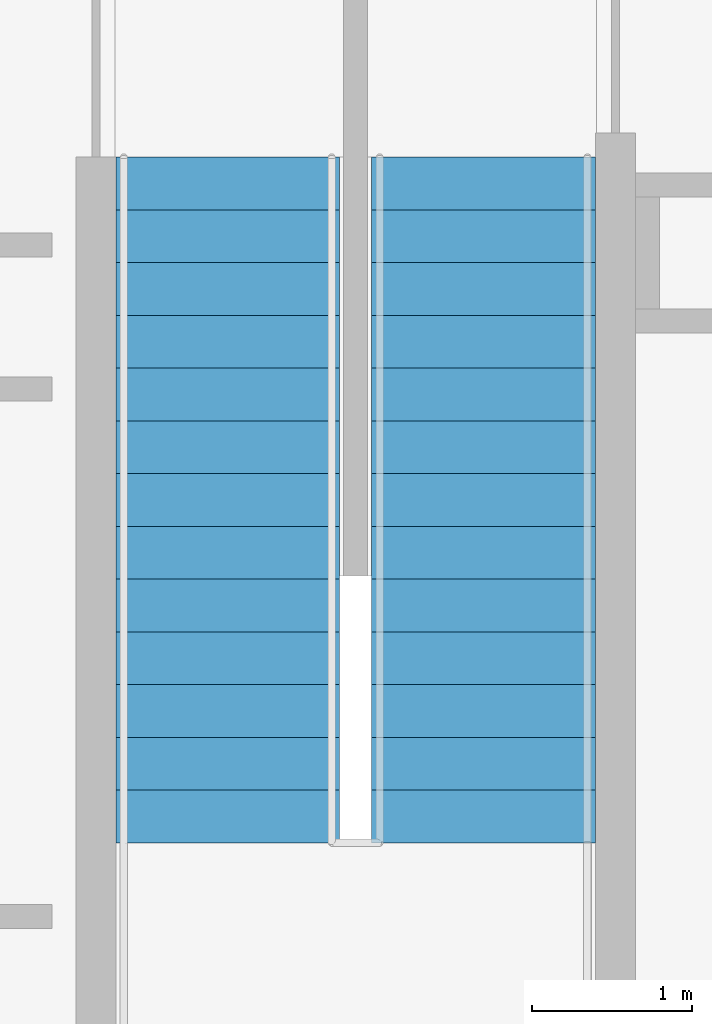
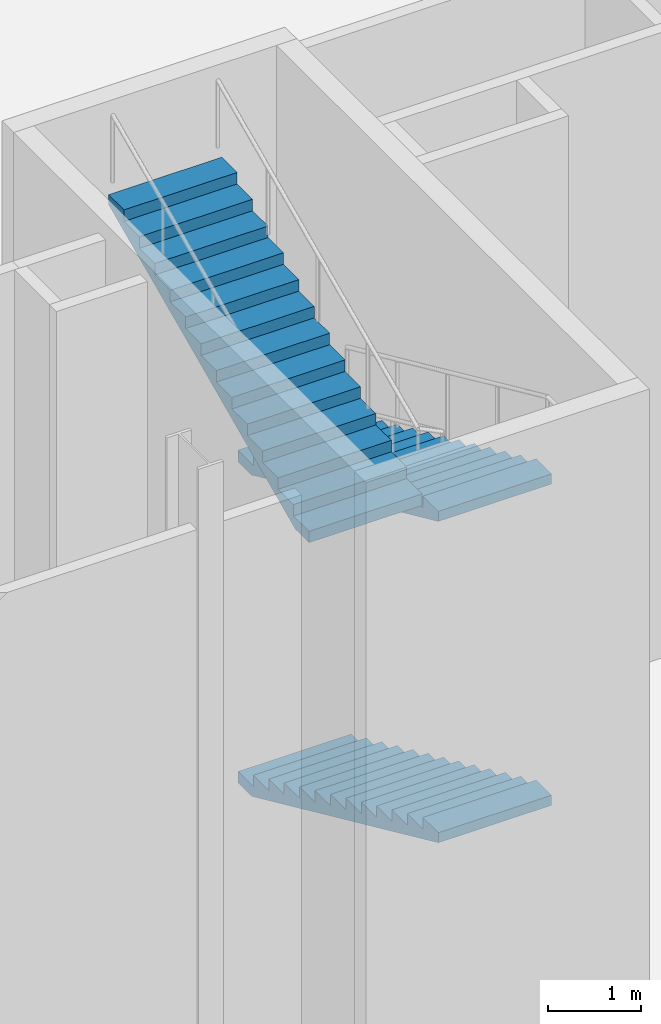
# One storey, part 30 of 34: 3 stair flights, 1 element without a shape of its own.
"""IFC4 building model written with IfcOpenShell, lengths in metres."""

from ifc_helpers import new_model, si_unit, direction, frame, origin, place, context, subcontext, project, spatial, polygons, material, type_object, element, aggregate, save


model = new_model("IFC4")

# Units and contexts
model_context = context("Model", 3, precision=1e-05, world=origin(), true_north=direction((0.0, 1.0)))
body_context = subcontext(model_context, "Body", "Model", "MODEL_VIEW")
ifc_project = project(units=[si_unit("LENGTHUNIT", "METRE"), si_unit("AREAUNIT", "SQUARE_METRE"), si_unit("VOLUMEUNIT", "CUBIC_METRE"), si_unit("PLANEANGLEUNIT", "RADIAN"), si_unit("MASSUNIT", "GRAM", prefix="KILO")], contexts=[model_context])

# Site, building, storey
site_placement = place(None, origin())
site = spatial("IfcSite", under=ifc_project, at=site_placement, CompositionType="ELEMENT")
building_placement = place(site_placement, origin())
building = spatial("IfcBuilding", under=site, at=building_placement, Name="Njiva Tower", CompositionType="ELEMENT")
storey_placement = place(building_placement, origin())
storey = spatial("IfcBuildingStorey", under=building, at=storey_placement, Name="L00", CompositionType="ELEMENT", Elevation=0.0)

# Stair, stair flights
ifc_material = material(Name="Concrete C40/50", Category="concrete")
stair_type = type_object("IfcStairType", Name="ST2 Exit stair 1400", PredefinedType="HALF_TURN_STAIR", material=ifc_material)
stair_placement = place(storey_placement, origin())
stair = element("IfcStair", 1, at=stair_placement, inside=storey, type_object=stair_type, Name="Stair G", PredefinedType="DOUBLE_RETURN_STAIR")
stair_flight_type = type_object("IfcStairFlightType", Name="FL2 Stair flight 1400", PredefinedType="STRAIGHT", material=ifc_material)
stair_flight_1_placement = place(storey_placement, frame((29.45, -2.05, 0.0), z_axis=(0.0, 0.0, 1.0), x_axis=(0.0, -1.0, 0.0)))
stair_flight_1 = element("IfcStairFlight", 2, at=stair_flight_1_placement, type_object=stair_flight_type, Name="ST-G flight 1", NumberOfRisers=14, NumberOfTreads=13, PredefinedType="STRAIGHT", RiserHeight=0.15, TreadLength=0.33, context=body_context, shape_type="Tessellation", body=[
    polygons([(0.0, 0.7, 0.0), (0.0, 0.35, 0.0), (0.0, 0.0, 0.0), (0.0, -0.35, 0.0), (0.0, -0.7, 0.0), (0.0, 0.7, 0.15), (0.0, 0.35, 0.15), (0.0, 0.0, 0.15), (0.0, -0.35, 0.15), (0.0, -0.7, 0.15), (0.33, 0.7, 0.15), (0.33, 0.35, 0.15), (0.33, 0.0, 0.15), (0.33, -0.35, 0.15), (0.33, -0.7, 0.15), (0.33, 0.7, 0.3), (0.33, 0.35, 0.3), (0.33, 0.0, 0.3), (0.33, -0.35, 0.3), (0.33, -0.7, 0.3), (0.66, 0.7, 0.3), (0.66, 0.35, 0.3), (0.66, 0.0, 0.3), (0.66, -0.35, 0.3), (0.66, -0.7, 0.3), (0.66, 0.7, 0.45), (0.66, 0.35, 0.45), (0.66, 0.0, 0.45), (0.66, -0.35, 0.45), (0.66, -0.7, 0.45), (0.99, 0.7, 0.45), (0.99, 0.35, 0.45), (0.99, 0.0, 0.45), (0.99, -0.35, 0.45), (0.99, -0.7, 0.45), (0.99, 0.7, 0.6), (0.99, 0.35, 0.6), (0.99, 0.0, 0.6), (0.99, -0.35, 0.6), (0.99, -0.7, 0.6), (1.32, 0.7, 0.6), (1.32, 0.35, 0.6), (1.32, 0.0, 0.6), (1.32, -0.35, 0.6), (1.32, -0.7, 0.6), (1.32, 0.7, 0.75), (1.32, 0.35, 0.75), (1.32, 0.0, 0.75), (1.32, -0.35, 0.75), (1.32, -0.7, 0.75), (1.65, 0.7, 0.75), (1.65, 0.35, 0.75), (1.65, 0.0, 0.75), (1.65, -0.35, 0.75), (1.65, -0.7, 0.75), (1.65, 0.7, 0.9), (1.65, 0.35, 0.9), (1.65, 0.0, 0.9), (1.65, -0.35, 0.9), (1.65, -0.7, 0.9), (1.98, 0.7, 0.9), (1.98, 0.35, 0.9), (1.98, 0.0, 0.9), (1.98, -0.35, 0.9), (1.98, -0.7, 0.9), (1.98, 0.7, 1.05), (1.98, 0.35, 1.05), (1.98, 0.0, 1.05), (1.98, -0.35, 1.05), (1.98, -0.7, 1.05), (2.31, 0.7, 1.05), (2.31, 0.35, 1.05), (2.31, 0.0, 1.05), (2.31, -0.35, 1.05), (2.31, -0.7, 1.05), (2.31, 0.7, 1.2), (2.31, 0.35, 1.2), (2.31, 0.0, 1.2), (2.31, -0.35, 1.2), (2.31, -0.7, 1.2), (2.64, 0.7, 1.2), (2.64, 0.35, 1.2), (2.64, 0.0, 1.2), (2.64, -0.35, 1.2), (2.64, -0.7, 1.2), (2.64, 0.7, 1.35), (2.64, 0.35, 1.35), (2.64, 0.0, 1.35), (2.64, -0.35, 1.35), (2.64, -0.7, 1.35), (2.97, 0.7, 1.35), (2.97, 0.35, 1.35), (2.97, 0.0, 1.35), (2.97, -0.35, 1.35), (2.97, -0.7, 1.35), (2.97, 0.7, 1.5), (2.97, 0.35, 1.5), (2.97, 0.0, 1.5), (2.97, -0.35, 1.5), (2.97, -0.7, 1.5), (3.3, 0.7, 1.5), (3.3, 0.35, 1.5), (3.3, 0.0, 1.5), (3.3, -0.35, 1.5), (3.3, -0.7, 1.5), (3.3, 0.7, 1.65), (3.3, 0.35, 1.65), (3.3, 0.0, 1.65), (3.3, -0.35, 1.65), (3.3, -0.7, 1.65), (3.63, 0.7, 1.65), (3.63, 0.35, 1.65), (3.63, 0.0, 1.65), (3.63, -0.35, 1.65), (3.63, -0.7, 1.65), (3.63, 0.7, 1.8), (3.63, 0.35, 1.8), (3.63, 0.0, 1.8), (3.63, -0.35, 1.8), (3.63, -0.7, 1.8), (3.96, 0.7, 1.8), (3.96, 0.35, 1.8), (3.96, 0.0, 1.8), (3.96, -0.35, 1.8), (3.96, -0.7, 1.8), (3.96, 0.7, 1.95), (3.96, 0.35, 1.95), (3.96, 0.0, 1.95), (3.96, -0.35, 1.95), (3.96, -0.7, 1.95), (4.29, 0.7, 1.95), (4.29, 0.35, 1.95), (4.29, 0.0, 1.95), (4.29, -0.35, 1.95), (4.29, -0.7, 1.95), (4.29, 0.7, 1.8182), (4.29, 0.35, 1.8182), (4.29, 0.0, 1.8182), (4.29, -0.35, 1.8182), (4.29, -0.7, 1.8182), (0.29, 0.7, 0.0), (0.29, 0.35, 0.0), (0.29, 0.0, 0.0), (0.29, -0.35, 0.0), (0.29, -0.7, 0.0)], [[[1, 6, 11, 16, 21, 26, 31, 36, 41, 46, 51, 56, 61, 66, 71, 76, 81, 86, 91, 96, 101, 106, 111, 116, 121, 126, 131, 136, 141]], [[145, 140, 135, 130, 125, 120, 115, 110, 105, 100, 95, 90, 85, 80, 75, 70, 65, 60, 55, 50, 45, 40, 35, 30, 25, 20, 15, 10, 5]], [[6, 1, 2, 7]], [[7, 2, 3, 8]], [[8, 3, 4, 9]], [[9, 4, 5, 10]], [[11, 6, 7, 12]], [[12, 7, 8, 13]], [[13, 8, 9, 14]], [[14, 9, 10, 15]], [[16, 11, 12, 17]], [[17, 12, 13, 18]], [[18, 13, 14, 19]], [[19, 14, 15, 20]], [[21, 16, 17, 22]], [[22, 17, 18, 23]], [[23, 18, 19, 24]], [[24, 19, 20, 25]], [[26, 21, 22, 27]], [[27, 22, 23, 28]], [[28, 23, 24, 29]], [[29, 24, 25, 30]], [[31, 26, 27, 32]], [[32, 27, 28, 33]], [[33, 28, 29, 34]], [[34, 29, 30, 35]], [[36, 31, 32, 37]], [[37, 32, 33, 38]], [[38, 33, 34, 39]], [[39, 34, 35, 40]], [[41, 36, 37, 42]], [[42, 37, 38, 43]], [[43, 38, 39, 44]], [[44, 39, 40, 45]], [[46, 41, 42, 47]], [[47, 42, 43, 48]], [[48, 43, 44, 49]], [[49, 44, 45, 50]], [[51, 46, 47, 52]], [[52, 47, 48, 53]], [[53, 48, 49, 54]], [[54, 49, 50, 55]], [[56, 51, 52, 57]], [[57, 52, 53, 58]], [[58, 53, 54, 59]], [[59, 54, 55, 60]], [[61, 56, 57, 62]], [[62, 57, 58, 63]], [[63, 58, 59, 64]], [[64, 59, 60, 65]], [[66, 61, 62, 67]], [[67, 62, 63, 68]], [[68, 63, 64, 69]], [[69, 64, 65, 70]], [[71, 66, 67, 72]], [[72, 67, 68, 73]], [[73, 68, 69, 74]], [[74, 69, 70, 75]], [[76, 71, 72, 77]], [[77, 72, 73, 78]], [[78, 73, 74, 79]], [[79, 74, 75, 80]], [[81, 76, 77, 82]], [[82, 77, 78, 83]], [[83, 78, 79, 84]], [[84, 79, 80, 85]], [[86, 81, 82, 87]], [[87, 82, 83, 88]], [[88, 83, 84, 89]], [[89, 84, 85, 90]], [[91, 86, 87, 92]], [[92, 87, 88, 93]], [[93, 88, 89, 94]], [[94, 89, 90, 95]], [[96, 91, 92, 97]], [[97, 92, 93, 98]], [[98, 93, 94, 99]], [[99, 94, 95, 100]], [[101, 96, 97, 102]], [[102, 97, 98, 103]], [[103, 98, 99, 104]], [[104, 99, 100, 105]], [[106, 101, 102, 107]], [[107, 102, 103, 108]], [[108, 103, 104, 109]], [[109, 104, 105, 110]], [[111, 106, 107, 112]], [[112, 107, 108, 113]], [[113, 108, 109, 114]], [[114, 109, 110, 115]], [[116, 111, 112, 117]], [[117, 112, 113, 118]], [[118, 113, 114, 119]], [[119, 114, 115, 120]], [[121, 116, 117, 122]], [[122, 117, 118, 123]], [[123, 118, 119, 124]], [[124, 119, 120, 125]], [[126, 121, 122, 127]], [[127, 122, 123, 128]], [[128, 123, 124, 129]], [[129, 124, 125, 130]], [[131, 126, 127, 132]], [[132, 127, 128, 133]], [[133, 128, 129, 134]], [[134, 129, 130, 135]], [[136, 131, 132, 137]], [[137, 132, 133, 138]], [[138, 133, 134, 139]], [[139, 134, 135, 140]], [[141, 136, 137, 142]], [[142, 137, 138, 143]], [[143, 138, 139, 144]], [[144, 139, 140, 145]], [[1, 141, 142, 2]], [[2, 142, 143, 3]], [[3, 143, 144, 4]], [[4, 144, 145, 5]]], closed=True),
])
stair_flight_2_placement = place(storey_placement, frame((29.45, -2.05, 4.2), z_axis=(0.0, 0.0, 1.0), x_axis=(0.0, -1.0, 0.0)))
stair_flight_2 = element("IfcStairFlight", 3, at=stair_flight_2_placement, type_object=stair_flight_type, Name="ST-G flight 3", NumberOfRisers=14, NumberOfTreads=13, PredefinedType="STRAIGHT", RiserHeight=0.15, TreadLength=0.33, context=body_context, shape_type="Tessellation", body=[
    polygons([(0.0, 0.7, 0.0), (0.0, 0.35, 0.0), (0.0, 0.0, 0.0), (0.0, -0.35, 0.0), (0.0, -0.7, 0.0), (0.0, 0.7, 0.15), (0.0, 0.35, 0.15), (0.0, 0.0, 0.15), (0.0, -0.35, 0.15), (0.0, -0.7, 0.15), (0.33, 0.7, 0.15), (0.33, 0.35, 0.15), (0.33, 0.0, 0.15), (0.33, -0.35, 0.15), (0.33, -0.7, 0.15), (0.33, 0.7, 0.3), (0.33, 0.35, 0.3), (0.33, 0.0, 0.3), (0.33, -0.35, 0.3), (0.33, -0.7, 0.3), (0.66, 0.7, 0.3), (0.66, 0.35, 0.3), (0.66, 0.0, 0.3), (0.66, -0.35, 0.3), (0.66, -0.7, 0.3), (0.66, 0.7, 0.45), (0.66, 0.35, 0.45), (0.66, 0.0, 0.45), (0.66, -0.35, 0.45), (0.66, -0.7, 0.45), (0.99, 0.7, 0.45), (0.99, 0.35, 0.45), (0.99, 0.0, 0.45), (0.99, -0.35, 0.45), (0.99, -0.7, 0.45), (0.99, 0.7, 0.6), (0.99, 0.35, 0.6), (0.99, 0.0, 0.6), (0.99, -0.35, 0.6), (0.99, -0.7, 0.6), (1.32, 0.7, 0.6), (1.32, 0.35, 0.6), (1.32, 0.0, 0.6), (1.32, -0.35, 0.6), (1.32, -0.7, 0.6), (1.32, 0.7, 0.75), (1.32, 0.35, 0.75), (1.32, 0.0, 0.75), (1.32, -0.35, 0.75), (1.32, -0.7, 0.75), (1.65, 0.7, 0.75), (1.65, 0.35, 0.75), (1.65, 0.0, 0.75), (1.65, -0.35, 0.75), (1.65, -0.7, 0.75), (1.65, 0.7, 0.9), (1.65, 0.35, 0.9), (1.65, 0.0, 0.9), (1.65, -0.35, 0.9), (1.65, -0.7, 0.9), (1.98, 0.7, 0.9), (1.98, 0.35, 0.9), (1.98, 0.0, 0.9), (1.98, -0.35, 0.9), (1.98, -0.7, 0.9), (1.98, 0.7, 1.05), (1.98, 0.35, 1.05), (1.98, 0.0, 1.05), (1.98, -0.35, 1.05), (1.98, -0.7, 1.05), (2.31, 0.7, 1.05), (2.31, 0.35, 1.05), (2.31, 0.0, 1.05), (2.31, -0.35, 1.05), (2.31, -0.7, 1.05), (2.31, 0.7, 1.2), (2.31, 0.35, 1.2), (2.31, 0.0, 1.2), (2.31, -0.35, 1.2), (2.31, -0.7, 1.2), (2.64, 0.7, 1.2), (2.64, 0.35, 1.2), (2.64, 0.0, 1.2), (2.64, -0.35, 1.2), (2.64, -0.7, 1.2), (2.64, 0.7, 1.35), (2.64, 0.35, 1.35), (2.64, 0.0, 1.35), (2.64, -0.35, 1.35), (2.64, -0.7, 1.35), (2.97, 0.7, 1.35), (2.97, 0.35, 1.35), (2.97, 0.0, 1.35), (2.97, -0.35, 1.35), (2.97, -0.7, 1.35), (2.97, 0.7, 1.5), (2.97, 0.35, 1.5), (2.97, 0.0, 1.5), (2.97, -0.35, 1.5), (2.97, -0.7, 1.5), (3.3, 0.7, 1.5), (3.3, 0.35, 1.5), (3.3, 0.0, 1.5), (3.3, -0.35, 1.5), (3.3, -0.7, 1.5), (3.3, 0.7, 1.65), (3.3, 0.35, 1.65), (3.3, 0.0, 1.65), (3.3, -0.35, 1.65), (3.3, -0.7, 1.65), (3.63, 0.7, 1.65), (3.63, 0.35, 1.65), (3.63, 0.0, 1.65), (3.63, -0.35, 1.65), (3.63, -0.7, 1.65), (3.63, 0.7, 1.8), (3.63, 0.35, 1.8), (3.63, 0.0, 1.8), (3.63, -0.35, 1.8), (3.63, -0.7, 1.8), (3.96, 0.7, 1.8), (3.96, 0.35, 1.8), (3.96, 0.0, 1.8), (3.96, -0.35, 1.8), (3.96, -0.7, 1.8), (3.96, 0.7, 1.95), (3.96, 0.35, 1.95), (3.96, 0.0, 1.95), (3.96, -0.35, 1.95), (3.96, -0.7, 1.95), (4.29, 0.7, 1.95), (4.29, 0.35, 1.95), (4.29, 0.0, 1.95), (4.29, -0.35, 1.95), (4.29, -0.7, 1.95), (4.29, 0.7, 1.8182), (4.29, 0.35, 1.8182), (4.29, 0.0, 1.8182), (4.29, -0.35, 1.8182), (4.29, -0.7, 1.8182), (0.29, 0.7, 0.0), (0.29, 0.35, 0.0), (0.29, 0.0, 0.0), (0.29, -0.35, 0.0), (0.29, -0.7, 0.0)], [[[1, 6, 11, 16, 21, 26, 31, 36, 41, 46, 51, 56, 61, 66, 71, 76, 81, 86, 91, 96, 101, 106, 111, 116, 121, 126, 131, 136, 141]], [[145, 140, 135, 130, 125, 120, 115, 110, 105, 100, 95, 90, 85, 80, 75, 70, 65, 60, 55, 50, 45, 40, 35, 30, 25, 20, 15, 10, 5]], [[6, 1, 2, 7]], [[7, 2, 3, 8]], [[8, 3, 4, 9]], [[9, 4, 5, 10]], [[11, 6, 7, 12]], [[12, 7, 8, 13]], [[13, 8, 9, 14]], [[14, 9, 10, 15]], [[16, 11, 12, 17]], [[17, 12, 13, 18]], [[18, 13, 14, 19]], [[19, 14, 15, 20]], [[21, 16, 17, 22]], [[22, 17, 18, 23]], [[23, 18, 19, 24]], [[24, 19, 20, 25]], [[26, 21, 22, 27]], [[27, 22, 23, 28]], [[28, 23, 24, 29]], [[29, 24, 25, 30]], [[31, 26, 27, 32]], [[32, 27, 28, 33]], [[33, 28, 29, 34]], [[34, 29, 30, 35]], [[36, 31, 32, 37]], [[37, 32, 33, 38]], [[38, 33, 34, 39]], [[39, 34, 35, 40]], [[41, 36, 37, 42]], [[42, 37, 38, 43]], [[43, 38, 39, 44]], [[44, 39, 40, 45]], [[46, 41, 42, 47]], [[47, 42, 43, 48]], [[48, 43, 44, 49]], [[49, 44, 45, 50]], [[51, 46, 47, 52]], [[52, 47, 48, 53]], [[53, 48, 49, 54]], [[54, 49, 50, 55]], [[56, 51, 52, 57]], [[57, 52, 53, 58]], [[58, 53, 54, 59]], [[59, 54, 55, 60]], [[61, 56, 57, 62]], [[62, 57, 58, 63]], [[63, 58, 59, 64]], [[64, 59, 60, 65]], [[66, 61, 62, 67]], [[67, 62, 63, 68]], [[68, 63, 64, 69]], [[69, 64, 65, 70]], [[71, 66, 67, 72]], [[72, 67, 68, 73]], [[73, 68, 69, 74]], [[74, 69, 70, 75]], [[76, 71, 72, 77]], [[77, 72, 73, 78]], [[78, 73, 74, 79]], [[79, 74, 75, 80]], [[81, 76, 77, 82]], [[82, 77, 78, 83]], [[83, 78, 79, 84]], [[84, 79, 80, 85]], [[86, 81, 82, 87]], [[87, 82, 83, 88]], [[88, 83, 84, 89]], [[89, 84, 85, 90]], [[91, 86, 87, 92]], [[92, 87, 88, 93]], [[93, 88, 89, 94]], [[94, 89, 90, 95]], [[96, 91, 92, 97]], [[97, 92, 93, 98]], [[98, 93, 94, 99]], [[99, 94, 95, 100]], [[101, 96, 97, 102]], [[102, 97, 98, 103]], [[103, 98, 99, 104]], [[104, 99, 100, 105]], [[106, 101, 102, 107]], [[107, 102, 103, 108]], [[108, 103, 104, 109]], [[109, 104, 105, 110]], [[111, 106, 107, 112]], [[112, 107, 108, 113]], [[113, 108, 109, 114]], [[114, 109, 110, 115]], [[116, 111, 112, 117]], [[117, 112, 113, 118]], [[118, 113, 114, 119]], [[119, 114, 115, 120]], [[121, 116, 117, 122]], [[122, 117, 118, 123]], [[123, 118, 119, 124]], [[124, 119, 120, 125]], [[126, 121, 122, 127]], [[127, 122, 123, 128]], [[128, 123, 124, 129]], [[129, 124, 125, 130]], [[131, 126, 127, 132]], [[132, 127, 128, 133]], [[133, 128, 129, 134]], [[134, 129, 130, 135]], [[136, 131, 132, 137]], [[137, 132, 133, 138]], [[138, 133, 134, 139]], [[139, 134, 135, 140]], [[141, 136, 137, 142]], [[142, 137, 138, 143]], [[143, 138, 139, 144]], [[144, 139, 140, 145]], [[1, 141, 142, 2]], [[2, 142, 143, 3]], [[3, 143, 144, 4]], [[4, 144, 145, 5]]], closed=True),
])
stair_flight_3_placement = place(storey_placement, frame((27.85, -6.34, 6.3), z_axis=(0.0, 0.0, 1.0), x_axis=(0.0, 1.0, 0.0)))
stair_flight_3 = element("IfcStairFlight", 4, at=stair_flight_3_placement, type_object=stair_flight_type, Name="ST-G flight 4", NumberOfRisers=14, NumberOfTreads=13, PredefinedType="STRAIGHT", RiserHeight=0.15, TreadLength=0.33, context=body_context, shape_type="Tessellation", body=[
    polygons([(0.0, 0.7, 0.0), (0.0, 0.35, 0.0), (0.0, 0.0, 0.0), (0.0, -0.35, 0.0), (0.0, -0.7, 0.0), (0.0, 0.7, 0.15), (0.0, 0.35, 0.15), (0.0, 0.0, 0.15), (0.0, -0.35, 0.15), (0.0, -0.7, 0.15), (0.33, 0.7, 0.15), (0.33, 0.35, 0.15), (0.33, 0.0, 0.15), (0.33, -0.35, 0.15), (0.33, -0.7, 0.15), (0.33, 0.7, 0.3), (0.33, 0.35, 0.3), (0.33, 0.0, 0.3), (0.33, -0.35, 0.3), (0.33, -0.7, 0.3), (0.66, 0.7, 0.3), (0.66, 0.35, 0.3), (0.66, 0.0, 0.3), (0.66, -0.35, 0.3), (0.66, -0.7, 0.3), (0.66, 0.7, 0.45), (0.66, 0.35, 0.45), (0.66, 0.0, 0.45), (0.66, -0.35, 0.45), (0.66, -0.7, 0.45), (0.99, 0.7, 0.45), (0.99, 0.35, 0.45), (0.99, 0.0, 0.45), (0.99, -0.35, 0.45), (0.99, -0.7, 0.45), (0.99, 0.7, 0.6), (0.99, 0.35, 0.6), (0.99, 0.0, 0.6), (0.99, -0.35, 0.6), (0.99, -0.7, 0.6), (1.32, 0.7, 0.6), (1.32, 0.35, 0.6), (1.32, 0.0, 0.6), (1.32, -0.35, 0.6), (1.32, -0.7, 0.6), (1.32, 0.7, 0.75), (1.32, 0.35, 0.75), (1.32, 0.0, 0.75), (1.32, -0.35, 0.75), (1.32, -0.7, 0.75), (1.65, 0.7, 0.75), (1.65, 0.35, 0.75), (1.65, 0.0, 0.75), (1.65, -0.35, 0.75), (1.65, -0.7, 0.75), (1.65, 0.7, 0.9), (1.65, 0.35, 0.9), (1.65, 0.0, 0.9), (1.65, -0.35, 0.9), (1.65, -0.7, 0.9), (1.98, 0.7, 0.9), (1.98, 0.35, 0.9), (1.98, 0.0, 0.9), (1.98, -0.35, 0.9), (1.98, -0.7, 0.9), (1.98, 0.7, 1.05), (1.98, 0.35, 1.05), (1.98, 0.0, 1.05), (1.98, -0.35, 1.05), (1.98, -0.7, 1.05), (2.31, 0.7, 1.05), (2.31, 0.35, 1.05), (2.31, 0.0, 1.05), (2.31, -0.35, 1.05), (2.31, -0.7, 1.05), (2.31, 0.7, 1.2), (2.31, 0.35, 1.2), (2.31, 0.0, 1.2), (2.31, -0.35, 1.2), (2.31, -0.7, 1.2), (2.64, 0.7, 1.2), (2.64, 0.35, 1.2), (2.64, 0.0, 1.2), (2.64, -0.35, 1.2), (2.64, -0.7, 1.2), (2.64, 0.7, 1.35), (2.64, 0.35, 1.35), (2.64, 0.0, 1.35), (2.64, -0.35, 1.35), (2.64, -0.7, 1.35), (2.97, 0.7, 1.35), (2.97, 0.35, 1.35), (2.97, 0.0, 1.35), (2.97, -0.35, 1.35), (2.97, -0.7, 1.35), (2.97, 0.7, 1.5), (2.97, 0.35, 1.5), (2.97, 0.0, 1.5), (2.97, -0.35, 1.5), (2.97, -0.7, 1.5), (3.3, 0.7, 1.5), (3.3, 0.35, 1.5), (3.3, 0.0, 1.5), (3.3, -0.35, 1.5), (3.3, -0.7, 1.5), (3.3, 0.7, 1.65), (3.3, 0.35, 1.65), (3.3, 0.0, 1.65), (3.3, -0.35, 1.65), (3.3, -0.7, 1.65), (3.63, 0.7, 1.65), (3.63, 0.35, 1.65), (3.63, 0.0, 1.65), (3.63, -0.35, 1.65), (3.63, -0.7, 1.65), (3.63, 0.7, 1.8), (3.63, 0.35, 1.8), (3.63, 0.0, 1.8), (3.63, -0.35, 1.8), (3.63, -0.7, 1.8), (3.96, 0.7, 1.8), (3.96, 0.35, 1.8), (3.96, 0.0, 1.8), (3.96, -0.35, 1.8), (3.96, -0.7, 1.8), (3.96, 0.7, 1.95), (3.96, 0.35, 1.95), (3.96, 0.0, 1.95), (3.96, -0.35, 1.95), (3.96, -0.7, 1.95), (4.29, 0.7, 1.95), (4.29, 0.35, 1.95), (4.29, 0.0, 1.95), (4.29, -0.35, 1.95), (4.29, -0.7, 1.95), (4.29, 0.7, 1.8182), (4.29, 0.35, 1.8182), (4.29, 0.0, 1.8182), (4.29, -0.35, 1.8182), (4.29, -0.7, 1.8182), (0.29, 0.7, 0.0), (0.29, 0.35, 0.0), (0.29, 0.0, 0.0), (0.29, -0.35, 0.0), (0.29, -0.7, 0.0)], [[[1, 6, 11, 16, 21, 26, 31, 36, 41, 46, 51, 56, 61, 66, 71, 76, 81, 86, 91, 96, 101, 106, 111, 116, 121, 126, 131, 136, 141]], [[145, 140, 135, 130, 125, 120, 115, 110, 105, 100, 95, 90, 85, 80, 75, 70, 65, 60, 55, 50, 45, 40, 35, 30, 25, 20, 15, 10, 5]], [[6, 1, 2, 7]], [[7, 2, 3, 8]], [[8, 3, 4, 9]], [[9, 4, 5, 10]], [[11, 6, 7, 12]], [[12, 7, 8, 13]], [[13, 8, 9, 14]], [[14, 9, 10, 15]], [[16, 11, 12, 17]], [[17, 12, 13, 18]], [[18, 13, 14, 19]], [[19, 14, 15, 20]], [[21, 16, 17, 22]], [[22, 17, 18, 23]], [[23, 18, 19, 24]], [[24, 19, 20, 25]], [[26, 21, 22, 27]], [[27, 22, 23, 28]], [[28, 23, 24, 29]], [[29, 24, 25, 30]], [[31, 26, 27, 32]], [[32, 27, 28, 33]], [[33, 28, 29, 34]], [[34, 29, 30, 35]], [[36, 31, 32, 37]], [[37, 32, 33, 38]], [[38, 33, 34, 39]], [[39, 34, 35, 40]], [[41, 36, 37, 42]], [[42, 37, 38, 43]], [[43, 38, 39, 44]], [[44, 39, 40, 45]], [[46, 41, 42, 47]], [[47, 42, 43, 48]], [[48, 43, 44, 49]], [[49, 44, 45, 50]], [[51, 46, 47, 52]], [[52, 47, 48, 53]], [[53, 48, 49, 54]], [[54, 49, 50, 55]], [[56, 51, 52, 57]], [[57, 52, 53, 58]], [[58, 53, 54, 59]], [[59, 54, 55, 60]], [[61, 56, 57, 62]], [[62, 57, 58, 63]], [[63, 58, 59, 64]], [[64, 59, 60, 65]], [[66, 61, 62, 67]], [[67, 62, 63, 68]], [[68, 63, 64, 69]], [[69, 64, 65, 70]], [[71, 66, 67, 72]], [[72, 67, 68, 73]], [[73, 68, 69, 74]], [[74, 69, 70, 75]], [[76, 71, 72, 77]], [[77, 72, 73, 78]], [[78, 73, 74, 79]], [[79, 74, 75, 80]], [[81, 76, 77, 82]], [[82, 77, 78, 83]], [[83, 78, 79, 84]], [[84, 79, 80, 85]], [[86, 81, 82, 87]], [[87, 82, 83, 88]], [[88, 83, 84, 89]], [[89, 84, 85, 90]], [[91, 86, 87, 92]], [[92, 87, 88, 93]], [[93, 88, 89, 94]], [[94, 89, 90, 95]], [[96, 91, 92, 97]], [[97, 92, 93, 98]], [[98, 93, 94, 99]], [[99, 94, 95, 100]], [[101, 96, 97, 102]], [[102, 97, 98, 103]], [[103, 98, 99, 104]], [[104, 99, 100, 105]], [[106, 101, 102, 107]], [[107, 102, 103, 108]], [[108, 103, 104, 109]], [[109, 104, 105, 110]], [[111, 106, 107, 112]], [[112, 107, 108, 113]], [[113, 108, 109, 114]], [[114, 109, 110, 115]], [[116, 111, 112, 117]], [[117, 112, 113, 118]], [[118, 113, 114, 119]], [[119, 114, 115, 120]], [[121, 116, 117, 122]], [[122, 117, 118, 123]], [[123, 118, 119, 124]], [[124, 119, 120, 125]], [[126, 121, 122, 127]], [[127, 122, 123, 128]], [[128, 123, 124, 129]], [[129, 124, 125, 130]], [[131, 126, 127, 132]], [[132, 127, 128, 133]], [[133, 128, 129, 134]], [[134, 129, 130, 135]], [[136, 131, 132, 137]], [[137, 132, 133, 138]], [[138, 133, 134, 139]], [[139, 134, 135, 140]], [[141, 136, 137, 142]], [[142, 137, 138, 143]], [[143, 138, 139, 144]], [[144, 139, 140, 145]], [[1, 141, 142, 2]], [[2, 142, 143, 3]], [[3, 143, 144, 4]], [[4, 144, 145, 5]]], closed=True),
])
aggregate(stair, [stair_flight_1, stair_flight_2, stair_flight_3])

save(model, "model.ifc")
